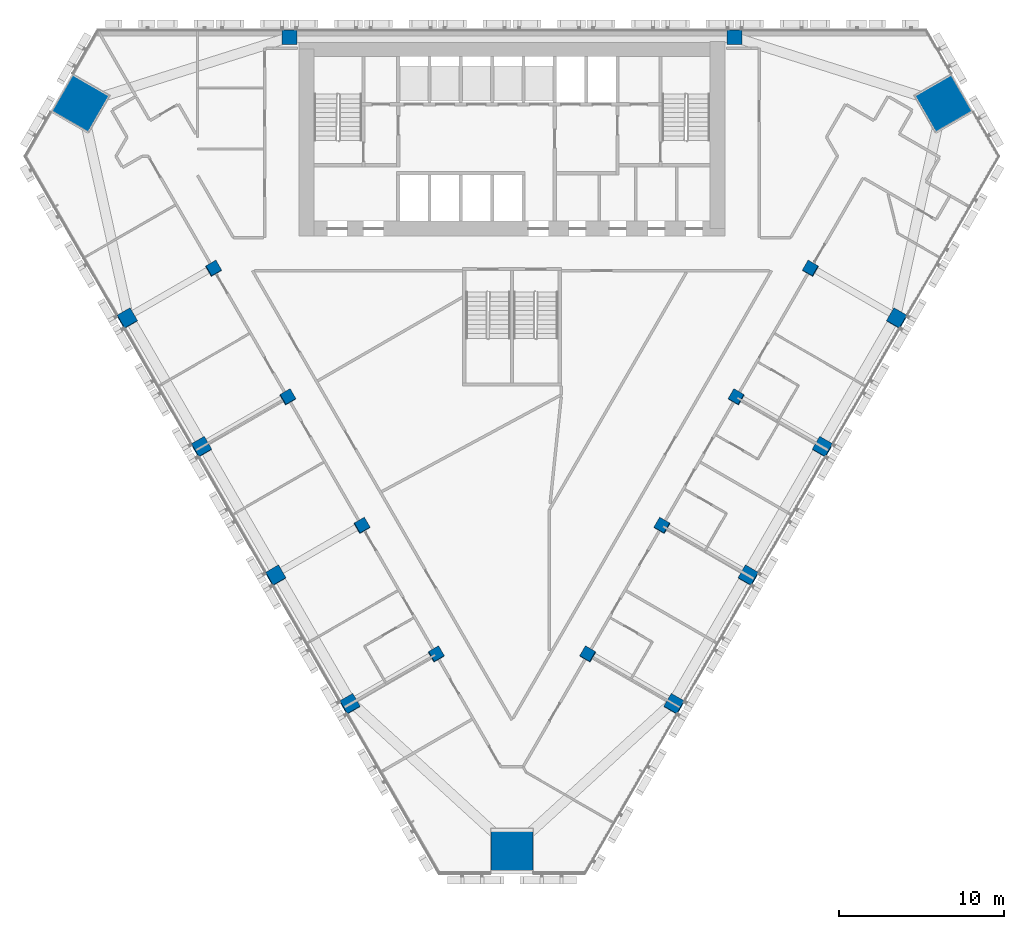
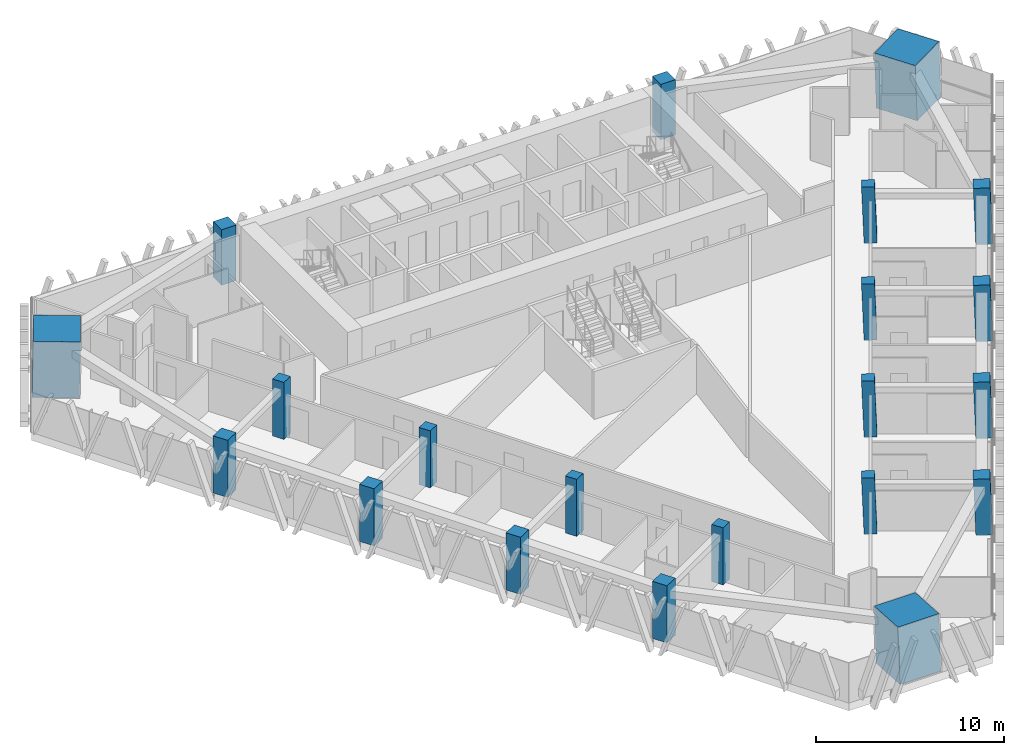
# One storey, part 1 of 16: 21 columns.
"""IFC4 building model written with IfcOpenShell, lengths in metres."""

from ifc_helpers import new_model, si_unit, direction, frame, origin, origin_2d, place, context, subcontext, project, spatial, rectangle, extrude, material, material_profile, profile_set, type_object, element, save


model = new_model("IFC4")

# Units and contexts
model_context = context("Model", 3, precision=1e-05, world=origin(), true_north=direction((0.0, 1.0)))
body_context = subcontext(model_context, "Body", "Model", "MODEL_VIEW")
ifc_project = project(units=[si_unit("LENGTHUNIT", "METRE"), si_unit("AREAUNIT", "SQUARE_METRE"), si_unit("VOLUMEUNIT", "CUBIC_METRE"), si_unit("PLANEANGLEUNIT", "RADIAN"), si_unit("MASSUNIT", "GRAM", prefix="KILO")], contexts=[model_context])

# Site, building, storey
site_placement = place(None, origin())
site = spatial("IfcSite", under=ifc_project, at=site_placement, CompositionType="ELEMENT")
building_placement = place(site_placement, origin())
building = spatial("IfcBuilding", under=site, at=building_placement, Name="Altiplano Prism Tower", CompositionType="ELEMENT")
storey_placement = place(building_placement, frame((0.0, 0.0, 81.0)))
storey = spatial("IfcBuildingStorey", under=building, at=storey_placement, Name="L20", CompositionType="ELEMENT", Elevation=81.0)

# Columns
ifc_material_1 = material(Name="Concrete C60/75", Category="concrete")
ifc_material_profile_1 = material_profile(ifc_material_1, rectangle(XDim=0.699951171875, YDim=0.699951171875, at=origin_2d()), Name="Inner column 700")
ifc_profile_set_1 = profile_set([ifc_material_profile_1], Name="Concrete C60/75")
column_type_1 = type_object("IfcColumnType", Name="Inner column 700", PredefinedType="COLUMN", material=ifc_profile_set_1)
for number, where, z_axis, x_axis, name in (
    (1, (66.89208984375, 90.518798828125, -0.021240234375), (0.02215369191, 0.038413282303, 0.999016333038), (-0.865361961769, -0.499673789956, 0.038402848257), "Inner column I11 L20"),
    (2, (71.39208984375, 82.724609375, -0.021240234375), (0.02215369191, 0.038413282303, 0.999016333038), (-0.865361979245, -0.49967375975, 0.038402847483), "Inner column I12 L20"),
    (3, (75.89208984375, 74.93017578125, -0.021240234375), (0.022153634206, 0.038480930364, 0.999013730882), (-0.864982397443, -0.500326676419, 0.038453465087), "Inner column I13 L20"),
    (4, (80.39208984375, 67.135986328125, -0.021240234375), (0.022153634206, 0.038480930364, 0.999013730882), (-0.864982397443, -0.500326676419, 0.038453465087), "Inner column I14 L20"),
    (5, (89.60791015625, 67.135986328125, -0.021240234375), (-0.022153634206, 0.038480930364, 0.999013730882), (-0.501312944781, -0.864981176016, 0.022201273229), "Inner column I21 L20"),
    (6, (94.10791015625, 74.93017578125, -0.021240234375), (-0.022153634206, 0.038480930364, 0.999013730882), (-0.501312944781, -0.864981176016, 0.022201273229), "Inner column I22 L20"),
    (7, (98.60791015625, 82.724609375, -0.021240234375), (-0.02215369191, 0.038413282303, 0.999016333038), (-0.500657426602, -0.865361516108, 0.022171775474), "Inner column I23 L20"),
    (8, (103.10791015625, 90.518798828125, -0.021240234375), (-0.02215369191, 0.038413282303, 0.999016333038), (-0.500657426602, -0.865361516108, 0.022171775474), "Inner column I24 L20"),
):
    element("IfcColumn", number, at=place(storey_placement, frame(where, z_axis=z_axis, x_axis=x_axis)), inside=storey, type_object=column_type_1, Name=name, PredefinedType="COLUMN", context=body_context, shape_type="SweptSolid", body=[
        extrude(rectangle(XDim=0.699951171875, YDim=0.699951171875, at=origin_2d()), origin(), (0.0, 0.0, 1.0), 3.603759765625),
    ])
ifc_material_2 = material(Name="Concrete C70/85", Category="concrete")
ifc_material_profile_2 = material_profile(ifc_material_2, rectangle(XDim=2.52001953125, YDim=2.52001953125, at=origin_2d()), Name="Mega column infill 2600")
ifc_profile_set_2 = profile_set([ifc_material_profile_2], Name="Concrete C70/85")
column_type_2 = type_object("IfcColumnType", Name="Mega column infill 2600", PredefinedType="COLUMN", material=ifc_profile_set_2)
column_1_placement = place(storey_placement, frame((58.78662109375, 100.519775390625, 0.0), z_axis=(0.028334066552, 0.009286524205, 0.999555371723), x_axis=(-0.866555711956, 0.498682221377, 0.019930884529)))
element("IfcColumn", 9, at=column_1_placement, inside=storey, type_object=column_type_2, Name="Mega column M0 L20", PredefinedType="COLUMN", context=body_context, shape_type="SweptSolid", body=[
    extrude(rectangle(XDim=2.52001953125, YDim=2.52001953125, at=origin_2d()), origin(), (0.0, 0.0, 1.0), 3.601806640625),
])
column_2_placement = place(storey_placement, frame((85.0, 55.11669921875, 0.0), z_axis=(0.0, 0.058356907999, 0.998295783467), x_axis=(-1.0, 0.0, 0.0)))
element("IfcColumn", 10, at=column_2_placement, inside=storey, type_object=column_type_2, Name="Mega column M1 L20", PredefinedType="COLUMN", context=body_context, shape_type="SweptSolid", body=[
    extrude(rectangle(XDim=2.52001953125, YDim=2.52001953125, at=origin_2d()), origin(), (0.0, 0.0, 1.0), 3.606201171875),
])
column_3_placement = place(storey_placement, frame((111.21337890625, 100.519775390625, 0.0), z_axis=(-0.028334066552, 0.009286524205, 0.999555371723), x_axis=(0.498275404519, -0.866735139792, 0.022176985843)))
element("IfcColumn", 11, at=column_3_placement, inside=storey, type_object=column_type_2, Name="Mega column M2 L20", PredefinedType="COLUMN", context=body_context, shape_type="SweptSolid", body=[
    extrude(rectangle(XDim=2.52001953125, YDim=2.52001953125, at=origin_2d()), origin(), (0.0, 0.0, 1.0), 3.601806640625),
])
ifc_material_profile_3 = material_profile(ifc_material_1, rectangle(XDim=0.89990234375, YDim=0.89990234375, at=origin_2d()), Name="Perimeter column 900")
ifc_profile_set_3 = profile_set([ifc_material_profile_3], Name="Concrete C60/75")
column_type_3 = type_object("IfcColumnType", Name="Perimeter column 900", PredefinedType="COLUMN", material=ifc_profile_set_3)
for number, where, z_axis, x_axis, name in (
    (12, (98.5, 104.550048828125, 0.0), (0.0, 0.0, 1.0), (1.0, 0.0, 0.0), "Perimeter column P01 L20"),
    (13, (71.5, 104.550048828125, 0.0), (0.0, 0.0, 1.0), (1.0, 0.0, 0.0), "Perimeter column P04 L20"),
):
    element("IfcColumn", number, at=place(storey_placement, frame(where, z_axis=z_axis, x_axis=x_axis)), inside=storey, type_object=column_type_3, Name=name, PredefinedType="COLUMN", context=body_context, shape_type="SweptSolid", body=[
        extrude(rectangle(XDim=0.89990234375, YDim=0.89990234375, at=origin_2d()), origin(), (0.0, 0.0, 1.0), 3.60009765625),
    ])
for number, where, z_axis, x_axis, name in (
    (14, (61.65234375, 87.493408203125, -0.02734375), (0.02222134892, 0.038480872521, 0.999012229206), (-0.865639401317, -0.499186837261, 0.038482832442), "Perimeter column P11 L20"),
    (15, (66.15234375, 79.69921875, -0.02734375), (0.02222134892, 0.038480872521, 0.999012229206), (-0.865639401317, -0.499186837261, 0.038482832442), "Perimeter column P12 L20"),
    (16, (70.65234375, 71.905029296875, -0.02734375), (0.022221406801, 0.038413224561, 0.999014831351), (-0.866024030522, -0.498523177618, 0.03843201707), "Perimeter column P13 L20"),
    (17, (75.15234375, 64.11083984375, -0.02734375), (0.022221406801, 0.038413224561, 0.999014831351), (-0.866024030522, -0.498523177618, 0.03843201707), "Perimeter column P14 L20"),
    (18, (94.84765625, 64.11083984375, -0.02734375), (-0.022221406801, 0.038413224561, 0.999014831351), (-0.499508345914, -0.866024864283, 0.02218888923), "Perimeter column P21 L20"),
    (19, (99.34765625, 71.905029296875, -0.02734375), (-0.022221406801, 0.038413224561, 0.999014831351), (-0.499508345914, -0.866024864283, 0.02218888923), "Perimeter column P22 L20"),
    (20, (103.84765625, 79.69921875, -0.02734375), (-0.02222134892, 0.038480872521, 0.999012229206), (-0.500174608052, -0.865639488445, 0.022217954564), "Perimeter column P23 L20"),
    (21, (108.34765625, 87.493408203125, -0.02734375), (-0.02222134892, 0.038480872521, 0.999012229206), (-0.500174608052, -0.865639488445, 0.022217954564), "Perimeter column P24 L20"),
):
    element("IfcColumn", number, at=place(storey_placement, frame(where, z_axis=z_axis, x_axis=x_axis)), inside=storey, type_object=column_type_3, Name=name, PredefinedType="COLUMN", context=body_context, shape_type="SweptSolid", body=[
        extrude(rectangle(XDim=0.89990234375, YDim=0.89990234375, at=origin_2d()), origin(), (0.0, 0.0, 1.0), 3.603759765625),
    ])

save(model, "model.ifc")
